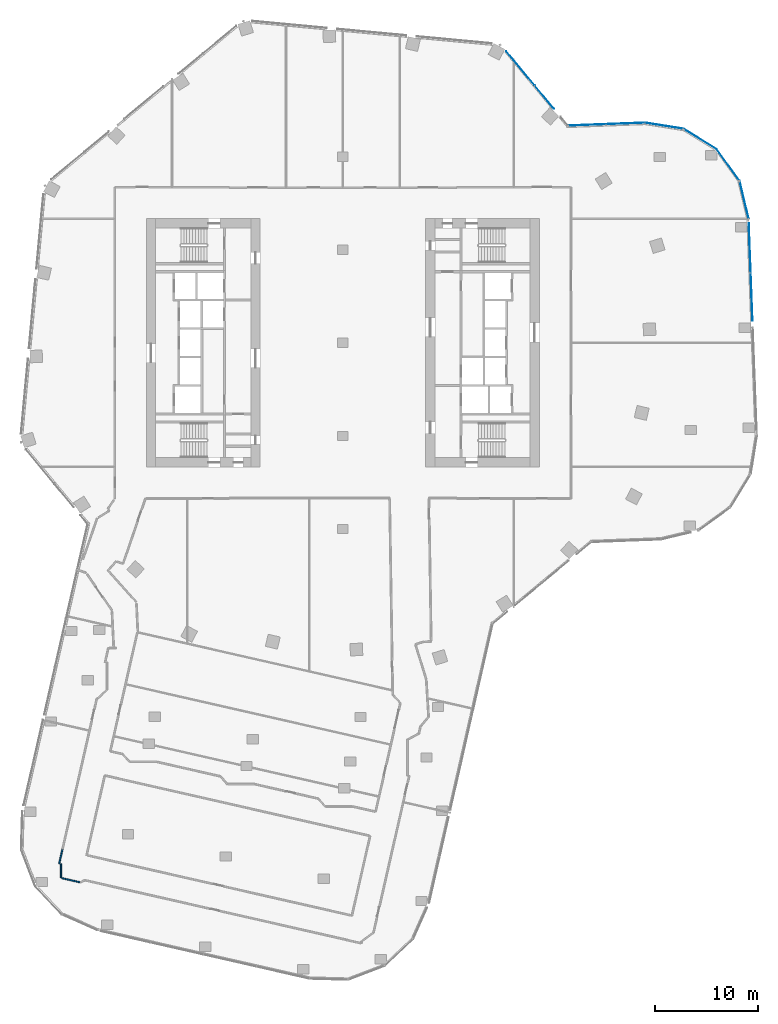
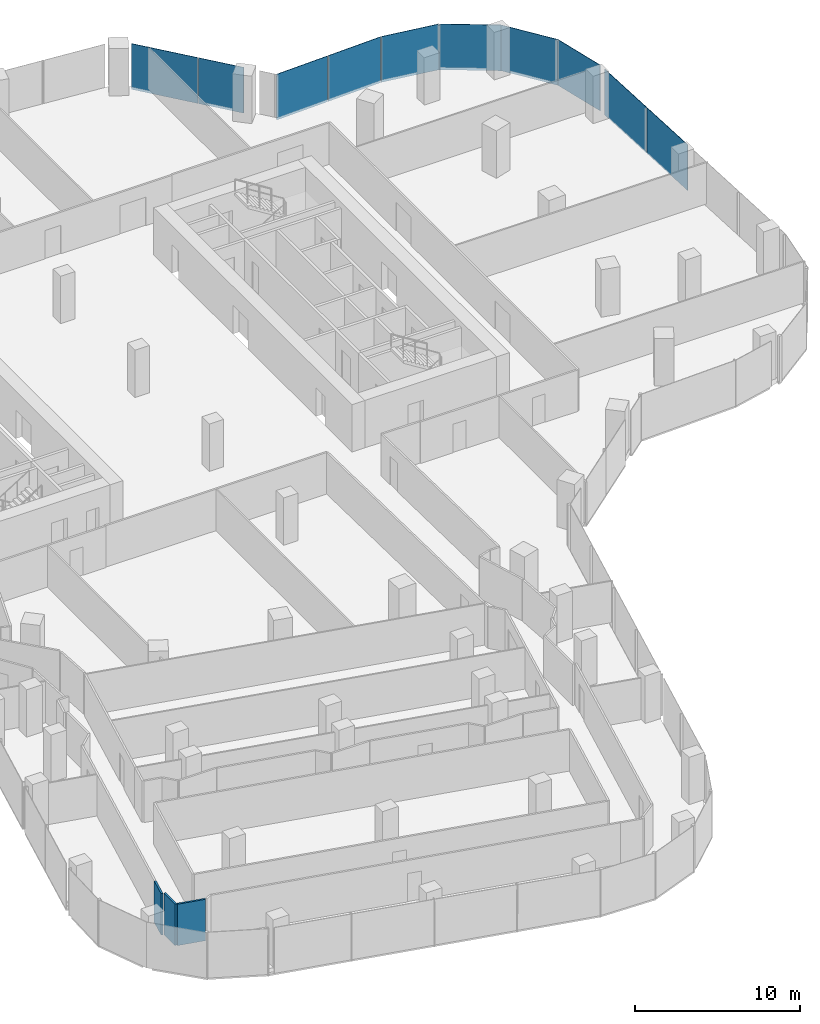
# One storey, part 17 of 24: 10 plates, 3 walls, 7 elements without a shape of their own.
"""IFC4 building model written with IfcOpenShell, lengths in metres."""

from ifc_helpers import new_model, si_unit, direction, frame, frame_2d, origin, origin_2d, place, context, subcontext, project, spatial, rectangle, extrude, material, layer, layer_set, type_object, element, aggregate, save


model = new_model("IFC4")

# Units and contexts
model_context = context("Model", 3, precision=1e-05, world=origin(), true_north=direction((0.0, 1.0)))
body_context = subcontext(model_context, "Body", "Model", "MODEL_VIEW")
ifc_project = project(units=[si_unit("LENGTHUNIT", "METRE"), si_unit("AREAUNIT", "SQUARE_METRE"), si_unit("VOLUMEUNIT", "CUBIC_METRE"), si_unit("PLANEANGLEUNIT", "RADIAN"), si_unit("MASSUNIT", "GRAM", prefix="KILO")], contexts=[model_context])

# Site, building, storey
site_placement = place(None, origin())
site = spatial("IfcSite", under=ifc_project, at=site_placement, CompositionType="ELEMENT")
building_placement = place(site_placement, origin())
building = spatial("IfcBuilding", under=site, at=building_placement, Name="Orlundy Tower", CompositionType="ELEMENT")
storey_placement = place(building_placement, frame((0.0, 0.0, 177.60009765625)))
storey = spatial("IfcBuildingStorey", under=building, at=storey_placement, Name="L46", CompositionType="ELEMENT", Elevation=177.60009765625)

# Curtain wall, plates
ifc_material_1 = material(Name="Aluminium bronze anodised", Category="aluminium")
curtain_wall_type = type_object("IfcCurtainWallType", Name="CW1 wall", PredefinedType="NOTDEFINED", material=ifc_material_1)
curtain_wall_1_placement = place(storey_placement, origin())
curtain_wall_1 = element("IfcCurtainWall", 1, at=curtain_wall_1_placement, inside=storey, type_object=curtain_wall_type, Name="CW1 run 05", PredefinedType="NOTDEFINED")
ifc_material_2 = material(Name="Tinted glass", Category="glass")
ifc_layer_1 = layer(ifc_material_2, 0.031982421875)
ifc_layer_set_1 = layer_set([ifc_layer_1], Name="CW1 glass panel 32")
plate_type = type_object("IfcPlateType", Name="CW1 glass panel 32", PredefinedType="CURTAIN_PANEL", material=ifc_layer_set_1)
plate_1_placement = place(storey_placement, frame((17.16748046875, 26.55224609375, -0.300048828125), z_axis=(0.0, 0.0, 1.0), x_axis=(0.638299162368, -0.769788399055, 0.0)))
plate_1 = element("IfcPlate", 2, at=plate_1_placement, type_object=plate_type, Name="CW1 panel", PredefinedType="CURTAIN_PANEL", context=body_context, shape_type="SweptSolid", body=[
    extrude(rectangle(XDim=4.295166015625, YDim=0.031982421875, at=origin_2d()), origin(), (0.0, 0.0, 1.0), 3.3798828125),
])
plate_2_placement = place(storey_placement, frame((19.498291015625, 23.7412109375, -0.300048828125), z_axis=(0.0, 0.0, 1.0), x_axis=(0.638299162368, -0.769788399055, 0.0)))
plate_2 = element("IfcPlate", 3, at=plate_2_placement, type_object=plate_type, Name="CW1 panel", PredefinedType="CURTAIN_PANEL", context=body_context, shape_type="SweptSolid", body=[
    extrude(rectangle(XDim=2.907958984375, YDim=0.031982421875, at=origin_2d()), origin(), (0.0, 0.0, 1.0), 3.3798828125),
])
aggregate(curtain_wall_1, [plate_1, plate_2])

curtain_wall_2_placement = place(storey_placement, origin())
curtain_wall_2 = element("IfcCurtainWall", 4, at=curtain_wall_2_placement, inside=storey, type_object=curtain_wall_type, Name="CW1 run 06", PredefinedType="NOTDEFINED")
plate_3_placement = place(storey_placement, frame((23.598388671875, 21.0712890625, -0.300048828125), z_axis=(0.0, 0.0, 1.0), x_axis=(0.99928394031, 0.037836578056, 0.0)))
plate_3 = element("IfcPlate", 5, at=plate_3_placement, type_object=plate_type, Name="CW1 panel", PredefinedType="CURTAIN_PANEL", context=body_context, shape_type="SweptSolid", body=[
    extrude(rectangle(XDim=3.660400390625, YDim=0.031982421875, at=origin_2d()), origin(), (0.0, 0.0, 1.0), 3.3798828125),
])
plate_4_placement = place(storey_placement, frame((27.342041015625, 21.212890625, -0.300048828125), z_axis=(0.0, 0.0, 1.0), x_axis=(0.99928394031, 0.037836578056, 0.0)))
plate_4 = element("IfcPlate", 6, at=plate_4_placement, type_object=plate_type, Name="CW1 panel", PredefinedType="CURTAIN_PANEL", context=body_context, shape_type="SweptSolid", body=[
    extrude(rectangle(XDim=3.732177734375, YDim=0.031982421875, at=origin_2d()), origin(), (0.0, 0.0, 1.0), 3.3798828125),
])
aggregate(curtain_wall_2, [plate_3, plate_4])

# Curtain wall, plate
curtain_wall_3_placement = place(storey_placement, origin())
curtain_wall_3 = element("IfcCurtainWall", 7, at=curtain_wall_3_placement, inside=storey, type_object=curtain_wall_type, Name="CW1 run 07", PredefinedType="NOTDEFINED")
plate_5_placement = place(storey_placement, frame((31.098876953125, 20.986083984375, -0.300048828125), z_axis=(0.0, 0.0, 1.0), x_axis=(0.987472591866, -0.157790621756, 0.0)))
plate_5 = element("IfcPlate", 8, at=plate_5_placement, type_object=plate_type, Name="CW1 panel", PredefinedType="CURTAIN_PANEL", context=body_context, shape_type="SweptSolid", body=[
    extrude(rectangle(XDim=3.731201171875, YDim=0.031982421875, at=origin_2d()), origin(), (0.0, 0.0, 1.0), 3.3798828125),
])
aggregate(curtain_wall_3, [plate_5])

curtain_wall_4_placement = place(storey_placement, origin())
curtain_wall_4 = element("IfcCurtainWall", 9, at=curtain_wall_4_placement, inside=storey, type_object=curtain_wall_type, Name="CW1 run 08", PredefinedType="NOTDEFINED")
plate_6_placement = place(storey_placement, frame((34.54736328125, 19.70361328125, -0.300048828125), z_axis=(0.0, 0.0, 1.0), x_axis=(0.85175093776, -0.523946886645, 0.0)))
plate_6 = element("IfcPlate", 10, at=plate_6_placement, type_object=plate_type, Name="CW1 panel", PredefinedType="CURTAIN_PANEL", context=body_context, shape_type="SweptSolid", body=[
    extrude(rectangle(XDim=3.771728515625, YDim=0.031982421875, at=origin_2d()), origin(), (0.0, 0.0, 1.0), 3.3798828125),
])
aggregate(curtain_wall_4, [plate_6])

curtain_wall_5_placement = place(storey_placement, origin())
curtain_wall_5 = element("IfcCurtainWall", 11, at=curtain_wall_5_placement, inside=storey, type_object=curtain_wall_type, Name="CW1 run 09", PredefinedType="NOTDEFINED")
plate_7_placement = place(storey_placement, frame((37.26025390625, 17.188232421875, -0.300048828125), z_axis=(0.0, 0.0, 1.0), x_axis=(0.586711161355, -0.80979627879, 0.0)))
plate_7 = element("IfcPlate", 12, at=plate_7_placement, type_object=plate_type, Name="CW1 panel", PredefinedType="CURTAIN_PANEL", context=body_context, shape_type="SweptSolid", body=[
    extrude(rectangle(XDim=3.772216796875, YDim=0.031982421875, at=origin_2d()), origin(), (0.0, 0.0, 1.0), 3.3798828125),
])
aggregate(curtain_wall_5, [plate_7])

curtain_wall_6_placement = place(storey_placement, origin())
curtain_wall_6 = element("IfcCurtainWall", 13, at=curtain_wall_6_placement, inside=storey, type_object=curtain_wall_type, Name="CW1 run 010", PredefinedType="NOTDEFINED")
plate_8_placement = place(storey_placement, frame((38.7998046875, 13.8466796875, -0.300048828125), z_axis=(0.0, 0.0, 1.0), x_axis=(0.23204608122, -0.972704793959, 0.0)))
plate_8 = element("IfcPlate", 14, at=plate_8_placement, type_object=plate_type, Name="CW1 panel", PredefinedType="CURTAIN_PANEL", context=body_context, shape_type="SweptSolid", body=[
    extrude(rectangle(XDim=3.729736328125, YDim=0.031982421875, at=origin_2d()), origin(), (0.0, 0.0, 1.0), 3.3798828125),
])
aggregate(curtain_wall_6, [plate_8])

# Curtain wall, plates
curtain_wall_7_placement = place(storey_placement, origin())
curtain_wall_7 = element("IfcCurtainWall", 15, at=curtain_wall_7_placement, inside=storey, type_object=curtain_wall_type, Name="CW1 run 011", PredefinedType="NOTDEFINED")
plate_9_placement = place(storey_placement, frame((39.345703125, 9.168701171875, -0.300048828125), z_axis=(0.0, 0.0, 1.0), x_axis=(0.03780949547, -0.999284965389, 0.0)))
plate_9 = element("IfcPlate", 16, at=plate_9_placement, type_object=plate_type, Name="CW1 panel", PredefinedType="CURTAIN_PANEL", context=body_context, shape_type="SweptSolid", body=[
    extrude(rectangle(XDim=4.798828125, YDim=0.031982421875, at=origin_2d()), origin(), (0.0, 0.0, 1.0), 3.3798828125),
])
plate_10_placement = place(storey_placement, frame((39.525390625, 4.4208984375, -0.300048828125), z_axis=(0.0, 0.0, 1.0), x_axis=(0.03780949547, -0.999284965389, 0.0)))
plate_10 = element("IfcPlate", 17, at=plate_10_placement, type_object=plate_type, Name="CW1 panel", PredefinedType="CURTAIN_PANEL", context=body_context, shape_type="SweptSolid", body=[
    extrude(rectangle(XDim=4.603271484375, YDim=0.031982421875, at=origin_2d()), origin(), (0.0, 0.0, 1.0), 3.3798828125),
])
aggregate(curtain_wall_7, [plate_9, plate_10])

# Walls
ifc_material_3 = material(Name="Gypsum board partition, double layer")
ifc_layer_2 = layer(ifc_material_3, 0.125)
ifc_layer_set_2 = layer_set([ifc_layer_2], Name="Floor partition 125")
wall_type = type_object("IfcWallType", Name="Floor partition 125", PredefinedType="PARTITIONING", material=ifc_layer_set_2)
wall_1_placement = place(storey_placement, frame((-27.173095703125, -51.758056640625, 0.0), z_axis=(0.0, 0.0, 1.0), x_axis=(0.975050579035, -0.221982810874, 0.0)))
element("IfcWall", 18, at=wall_1_placement, inside=storey, type_object=wall_type, Name="wall-int-L46-014", PredefinedType="PARTITIONING", context=body_context, shape_type="SweptSolid", body=[
    extrude(rectangle(XDim=1.779541015625, YDim=0.125, at=frame_2d((0.8896484375, 0.0))), origin(), (0.0, 0.0, 1.0), 3.059814453125),
])
wall_2_placement = place(storey_placement, frame((-27.431884765625, -50.382080078125, 0.0), z_axis=(0.0, 0.0, 1.0), x_axis=(0.221673255789, 0.975121001552, 0.0)))
element("IfcWall", 19, at=wall_2_placement, inside=storey, type_object=wall_type, Name="wall-int-L46-069", PredefinedType="PARTITIONING", context=body_context, shape_type="SweptSolid", body=[
    extrude(rectangle(XDim=1.416259765625, YDim=0.125, at=frame_2d((0.7080078125, 0.0))), origin(), (0.0, 0.0, 1.0), 3.059814453125),
])
wall_3_placement = place(storey_placement, frame((-27.2490234375, -51.740966796875, 0.0), z_axis=(0.0, 0.0, 1.0), x_axis=(0.0, 1.0, 0.0)))
element("IfcWall", 20, at=wall_3_placement, inside=storey, type_object=wall_type, Name="wall-int-L46-085", PredefinedType="PARTITIONING", context=body_context, shape_type="SweptSolid", body=[
    extrude(rectangle(XDim=1.35888671875, YDim=0.125, at=frame_2d((0.679443359375, 0.0))), origin(), (0.0, 0.0, 1.0), 3.059814453125),
])

save(model, "model.ifc")
